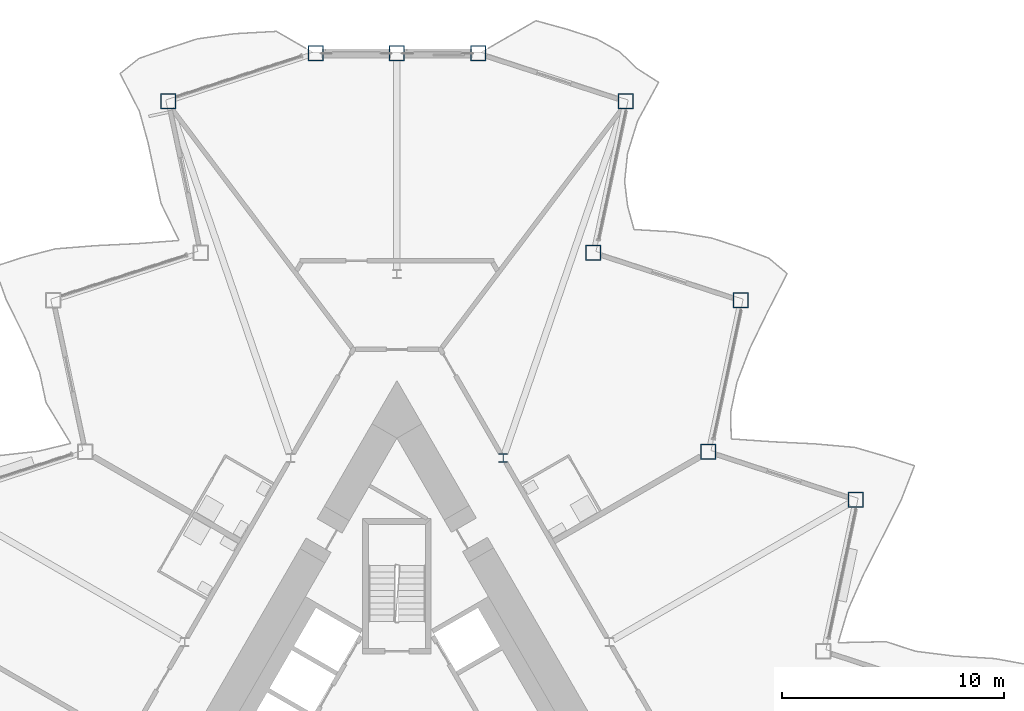
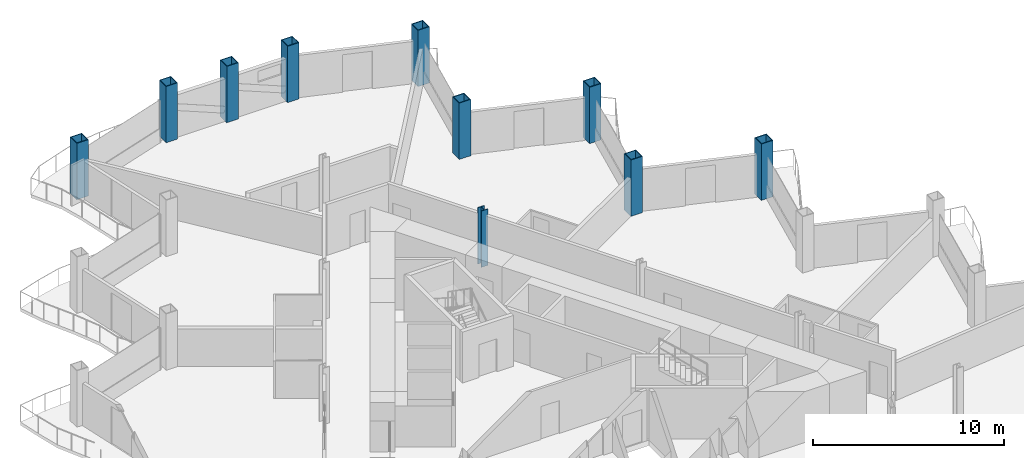
# One storey, part 3 of 24: 10 columns.
"""IFC4 building model written with IfcOpenShell, lengths in metres."""

from ifc_helpers import new_model, si_unit, direction, frame, origin, origin_2d, place, context, subcontext, project, spatial, hollow_rectangle, i_section, extrude, material, material_profile, profile_set, type_object, element, save


model = new_model("IFC4")

# Units and contexts
model_context = context("Model", 3, precision=1e-05, world=origin(), true_north=direction((0.0, 1.0)))
body_context = subcontext(model_context, "Body", "Model", "MODEL_VIEW")
ifc_project = project(units=[si_unit("LENGTHUNIT", "METRE"), si_unit("AREAUNIT", "SQUARE_METRE"), si_unit("VOLUMEUNIT", "CUBIC_METRE"), si_unit("PLANEANGLEUNIT", "RADIAN"), si_unit("MASSUNIT", "GRAM", prefix="KILO")], contexts=[model_context])

# Site, building, storey
site_placement = place(None, origin())
site = spatial("IfcSite", under=ifc_project, at=site_placement, CompositionType="ELEMENT")
building_placement = place(site_placement, origin())
building = spatial("IfcBuilding", under=site, at=building_placement, Name="Cormorant Prow Tower", CompositionType="ELEMENT")
storey_placement = place(building_placement, frame((0.0, 0.0, 270.60009765625)))
storey = spatial("IfcBuildingStorey", under=building, at=storey_placement, Name="L61", CompositionType="ELEMENT", Elevation=270.60009765625)

# Columns
ifc_material_1 = material(Name="Structural steel ASTM A572 Gr 50", Category="steel")
ifc_material_profile_1 = material_profile(ifc_material_1, hollow_rectangle(XDim=0.699951171875, YDim=0.699951171875, WallThickness=0.044921875, at=origin_2d()), Name="Box 700x700x45")
ifc_profile_set_1 = profile_set([ifc_material_profile_1], Name="Structural steel ASTM A572 Gr 50")
column_type_1 = type_object("IfcColumnType", Name="Perimeter box column 700x700x45", PredefinedType="COLUMN", material=ifc_profile_set_1)
for number, where, z_axis, x_axis, name in (
    (1, (20.686767578125, 11.943359375, 0.0), (0.0, 0.0, 1.0), (1.0, 0.0, 0.0), "Perimeter column C5 at ENE05 L61"),
    (2, (14.046875, 14.100830078125, 0.0), (0.0, 0.0, 1.0), (1.0, 0.0, 0.0), "Perimeter column C5 at ENE06 L61"),
    (3, (15.49853515625, 20.9296875, 0.0), (0.0, 0.0, 1.0), (1.0, 0.0, 0.0), "Perimeter column C5 at ENE07 L61"),
    (4, (8.858642578125, 23.087158203125, 0.0), (0.0, 0.0, 1.0), (1.0, 0.0, 0.0), "Perimeter column C5 at ENE08 L61"),
    (5, (10.310302734375, 29.916015625, 0.0), (0.0, 0.0, 1.0), (1.0, 0.0, 0.0), "Perimeter column C5 at ENE09 L61"),
    (6, (3.67041015625, 32.073486328125, 0.0), (0.0, 0.0, 1.0), (1.0, 0.0, 0.0), "Perimeter column C5 at N00 L61"),
    (7, (0.0, 32.073486328125, 0.0), (0.0, 0.0, 1.0), (1.0, 0.0, 0.0), "Perimeter column C5 at N01 L61"),
    (8, (-3.67041015625, 32.073486328125, 0.0), (0.0, 0.0, 1.0), (1.0, 0.0, 0.0), "Perimeter column C5 at WNW00 L61"),
    (9, (-10.310302734375, 29.916015625, 0.0), (0.0, 0.0, 1.0), (1.0, 0.0, 0.0), "Perimeter column C5 at WNW01 L61"),
):
    element("IfcColumn", number, at=place(storey_placement, frame(where, z_axis=z_axis, x_axis=x_axis)), inside=storey, type_object=column_type_1, Name=name, PredefinedType="COLUMN", context=body_context, shape_type="SweptSolid", body=[
        extrude(hollow_rectangle(XDim=0.699951171875, YDim=0.699951171875, WallThickness=0.044921875, at=origin_2d()), origin(), (0.0, 0.0, 1.0), 3.599853515625),
    ])
ifc_material_2 = material(Name="Structural steel ASTM A992 Gr 50", Category="steel")
ifc_material_profile_2 = material_profile(ifc_material_2, i_section(OverallWidth=0.39892578125, OverallDepth=0.393310546875, WebThickness=0.022705078125, FlangeThickness=0.03662109375, at=origin_2d()), Name="W14x193")
ifc_profile_set_2 = profile_set([ifc_material_profile_2], Name="Structural steel ASTM A992 Gr 50")
column_type_2 = type_object("IfcColumnType", Name="Ring column W14x193", PredefinedType="COLUMN", material=ifc_profile_set_2)
column_placement = place(storey_placement, frame((4.789306640625, 13.8251953125, 0.0), z_axis=(0.0, 0.0, 1.0), x_axis=(1.0, 0.0, 0.0)))
element("IfcColumn", 10, at=column_placement, inside=storey, type_object=column_type_2, Name="Ring column 12 L61", PredefinedType="COLUMN", context=body_context, shape_type="SweptSolid", body=[
    extrude(i_section(OverallWidth=0.39892578125, OverallDepth=0.393310546875, WebThickness=0.022705078125, FlangeThickness=0.03662109375, at=origin_2d()), origin(), (0.0, 0.0, 1.0), 3.599853515625),
])

save(model, "model.ifc")
